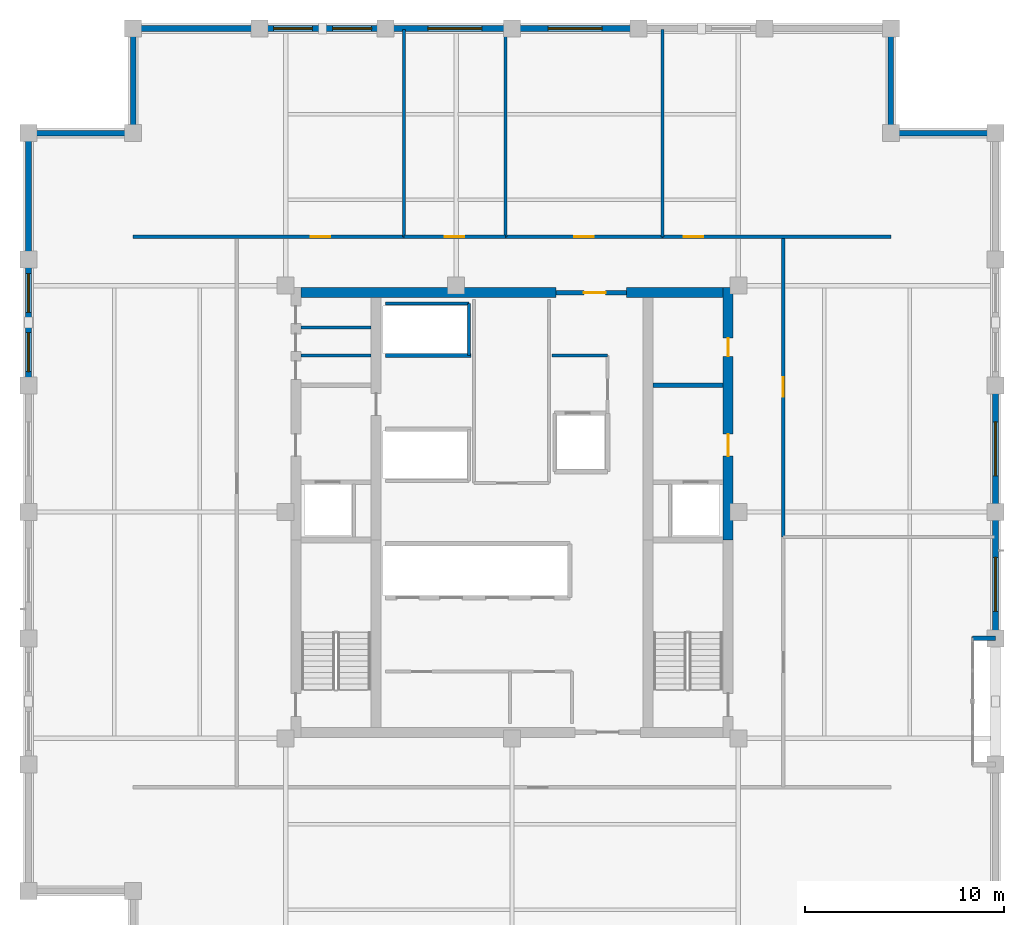
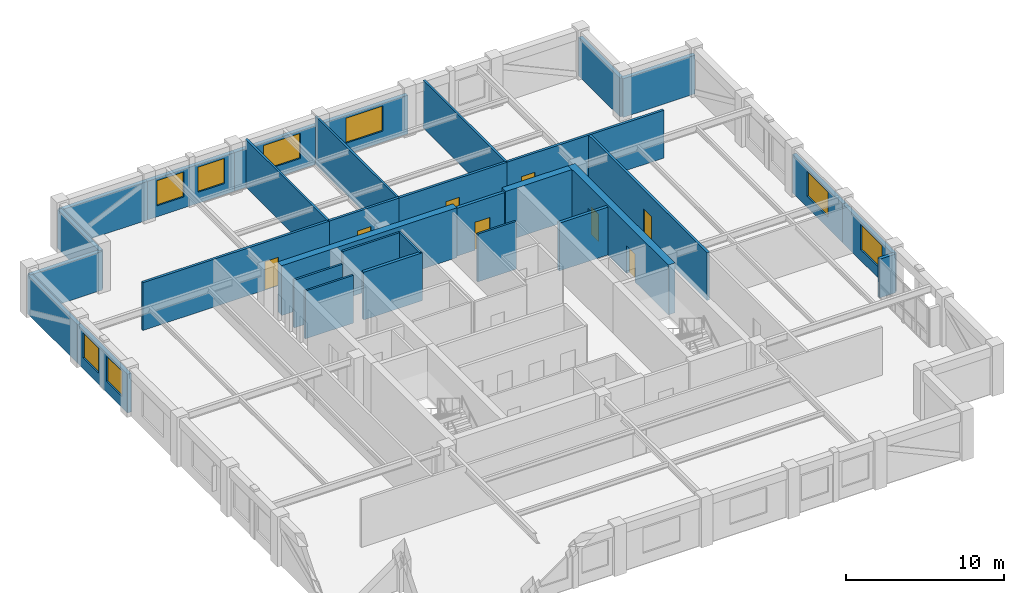
# One storey, part 9 of 11: 32 walls, 8 doors, 8 windows, 16 openings.
"""IFC4 building model written with IfcOpenShell, lengths in metres."""

from ifc_helpers import new_model, si_unit, direction, frame, frame_2d, origin, place, context, subcontext, project, spatial, rectangle, extrude, material, layer, layer_set, type_object, element, fill, save


model = new_model("IFC4")

# Units and contexts
model_context = context("Model", 3, precision=1e-05, world=origin(), true_north=direction((0.0, 1.0)))
body_context = subcontext(model_context, "Body", "Model", "MODEL_VIEW")
ifc_project = project(units=[si_unit("LENGTHUNIT", "METRE"), si_unit("AREAUNIT", "SQUARE_METRE"), si_unit("VOLUMEUNIT", "CUBIC_METRE"), si_unit("PLANEANGLEUNIT", "RADIAN"), si_unit("MASSUNIT", "GRAM", prefix="KILO")], contexts=[model_context])

# Site, building, storey
site_placement = place(None, origin())
site = spatial("IfcSite", under=ifc_project, at=site_placement, CompositionType="ELEMENT")
building_placement = place(site_placement, origin())
building = spatial("IfcBuilding", under=site, at=building_placement, Name="Nhamokura Convention Tower", CompositionType="ELEMENT")
storey_placement = place(building_placement, frame((0.0, 0.0, 244.64990234375)))
storey = spatial("IfcBuildingStorey", under=building, at=storey_placement, Name="L60", CompositionType="ELEMENT", Elevation=244.64990234375)

# Walls
ifc_material_1 = material(Name="Moisture-resistant tile-backer partition", Category="masonry")
ifc_layer_1 = layer(ifc_material_1, 0.139892578125)
ifc_layer_set_1 = layer_set([ifc_layer_1], Name="BathroomWetWall_140")
wall_type_1 = type_object("IfcWallType", Name="BathroomWetWall_140", PredefinedType="STANDARD", material=ifc_layer_set_1)
wall_1_placement = place(storey_placement, frame((21.409912109375, 39.85009765625, 0.0), z_axis=(0.0, 0.0, 1.0), x_axis=(1.0, 0.0, 0.0)))
element("IfcWall", 1, at=wall_1_placement, inside=storey, type_object=wall_type_1, Name="L60 Wall INT-L60-CWNW1", PredefinedType="STANDARD", context=body_context, shape_type="SweptSolid", body=[
    extrude(rectangle(XDim=3.530029296875, YDim=0.139892578125, at=frame_2d((1.76513671875, 0.0))), origin(), (0.0, 0.0, 1.0), 3.68505859375),
])
ifc_material_2 = material(Name="Bronze-pigmented precast concrete C45/55", Category="concrete")
ifc_layer_2 = layer(ifc_material_2, 0.280029296875)
ifc_layer_set_2 = layer_set([ifc_layer_2], Name="BronzePrecastSpandrel_280")
wall_type_2 = type_object("IfcWallType", Name="BronzePrecastSpandrel_280", PredefinedType="USERDEFINED", material=ifc_layer_set_2)
wall_2_placement = place(storey_placement, frame((13.0, 56.25, 0.0), z_axis=(0.0, 0.0, 1.0), x_axis=(1.0, 0.0, 0.0)))
element("IfcWall", 2, at=wall_2_placement, inside=storey, type_object=wall_type_2, Name="L60 Braced-Bay Precast Wall NORTH 0", ObjectType="SPANDREL_WALL", PredefinedType="USERDEFINED", context=body_context, shape_type="SweptSolid", body=[
    extrude(rectangle(XDim=6.333251953125, YDim=0.280029296875, at=frame_2d((3.16650390625, 0.0))), origin(), (0.0, 0.0, 1.0), 2.985107421875),
])

# Wall, openings, windows
wall_3_placement = place(storey_placement, frame((19.333251953125, 56.25, 0.0), z_axis=(0.0, 0.0, 1.0), x_axis=(1.0, 0.0, 0.0)))
wall_3 = element("IfcWall", 3, at=wall_3_placement, inside=storey, type_object=wall_type_2, Name="L60 Masonry-Frame Wall NORTH 1", ObjectType="SPANDREL_WALL", PredefinedType="USERDEFINED", context=body_context, shape_type="SweptSolid", body=[
    extrude(rectangle(XDim=6.33349609375, YDim=0.280029296875, at=frame_2d((3.166748046875, 0.0))), origin(), (0.0, 0.0, 1.0), 2.985107421875),
])
opening_1_placement = place(wall_3_placement, frame((0.708251953125, 0.0, 0.85009765625)))
opening_1 = element("IfcOpeningElement", 4, at=opening_1_placement, cuts=wall_3, Name="Opening W-08", PredefinedType="OPENING", context=body_context, shape_type="SweptSolid", body=[
    extrude(rectangle(XDim=1.949951171875, YDim=1.93505859375, at=frame_2d((0.97509765625, 0.967529296875))), frame((0.0, 0.14990234375, 0.0), z_axis=(0.0, -1.0, 0.0), x_axis=(1.0, 0.0, 0.0)), (0.0, 0.0, 1.0), 0.300048828125),
])
opening_2_placement = place(wall_3_placement, frame((3.675048828125, 0.0, 0.85009765625)))
opening_2 = element("IfcOpeningElement", 5, at=opening_2_placement, cuts=wall_3, Name="Opening W-08", PredefinedType="OPENING", context=body_context, shape_type="SweptSolid", body=[
    extrude(rectangle(XDim=1.949951171875, YDim=1.93505859375, at=frame_2d((0.97509765625, 0.967529296875))), frame((0.0, 0.14990234375, 0.0), z_axis=(0.0, -1.0, 0.0), x_axis=(1.0, 0.0, 0.0)), (0.0, 0.0, 1.0), 0.300048828125),
])
ifc_material_3 = material(Name="Solar-control bronze low-E double glass", Category="glass")
window_type_1 = type_object("IfcWindowType", Name="OfficeModuleWindow_Z3_1950", PartitioningType="SINGLE_PANEL", PredefinedType="WINDOW", material=ifc_material_3)
window_1_placement = place(opening_1_placement, origin())
window_1 = element("IfcWindow", 6, at=window_1_placement, inside=storey, type_object=window_type_1, Name="L60 Facade Window NORTH 1-1", OverallHeight=1.93505859375, OverallWidth=1.949951171875, PartitioningType="SINGLE_PANEL", PredefinedType="WINDOW", context=body_context, shape_type="SweptSolid", body=[
    extrude(rectangle(XDim=1.949951171875, YDim=1.93505859375, at=frame_2d((0.97509765625, 0.967529296875))), frame((0.0, 0.030029296875, 0.0), z_axis=(0.0, -1.0, 0.0), x_axis=(1.0, 0.0, 0.0)), (0.0, 0.0, 1.0), 0.06005859375),
])
fill(opening_1, window_1)
window_2_placement = place(opening_2_placement, origin())
window_2 = element("IfcWindow", 7, at=window_2_placement, inside=storey, type_object=window_type_1, Name="L60 Facade Window NORTH 1-2", OverallHeight=1.93505859375, OverallWidth=1.949951171875, PartitioningType="SINGLE_PANEL", PredefinedType="WINDOW", context=body_context, shape_type="SweptSolid", body=[
    extrude(rectangle(XDim=1.949951171875, YDim=1.93505859375, at=frame_2d((0.97509765625, 0.967529296875))), frame((0.0, 0.030029296875, 0.0), z_axis=(0.0, -1.0, 0.0), x_axis=(1.0, 0.0, 0.0)), (0.0, 0.0, 1.0), 0.06005859375),
])
fill(opening_2, window_2)

# Wall, opening, window
wall_4_placement = place(storey_placement, frame((25.666748046875, 56.25, 0.0), z_axis=(0.0, 0.0, 1.0), x_axis=(1.0, 0.0, 0.0)))
wall_4 = element("IfcWall", 8, at=wall_4_placement, inside=storey, type_object=wall_type_2, Name="L60 Masonry-Frame Wall NORTH 2", ObjectType="SPANDREL_WALL", PredefinedType="USERDEFINED", context=body_context, shape_type="SweptSolid", body=[
    extrude(rectangle(XDim=6.333251953125, YDim=0.280029296875, at=frame_2d((3.16650390625, 0.0))), origin(), (0.0, 0.0, 1.0), 2.985107421875),
])
opening_3_placement = place(wall_4_placement, frame((2.11669921875, 0.0, 0.85009765625)))
opening_3 = element("IfcOpeningElement", 9, at=opening_3_placement, cuts=wall_4, Name="Opening W-07", PredefinedType="OPENING", context=body_context, shape_type="SweptSolid", body=[
    extrude(rectangle(XDim=2.699951171875, YDim=1.93505859375, at=frame_2d((1.35009765625, 0.967529296875))), frame((0.0, 0.14990234375, 0.0), z_axis=(0.0, -1.0, 0.0), x_axis=(1.0, 0.0, 0.0)), (0.0, 0.0, 1.0), 0.300048828125),
])
ifc_material_4 = material(Name="Solar-control bronze low-E double glass", Category="glass")
window_type_2 = type_object("IfcWindowType", Name="OfficeModuleWindow_Z3_2700", PartitioningType="DOUBLE_PANEL_VERTICAL", PredefinedType="WINDOW", material=ifc_material_4)
window_3_placement = place(opening_3_placement, origin())
window_3 = element("IfcWindow", 10, at=window_3_placement, inside=storey, type_object=window_type_2, Name="L60 Facade Window NORTH 2", OverallHeight=1.93505859375, OverallWidth=2.699951171875, PartitioningType="SINGLE_PANEL", PredefinedType="WINDOW", context=body_context, shape_type="SweptSolid", body=[
    extrude(rectangle(XDim=2.699951171875, YDim=1.93505859375, at=frame_2d((1.35009765625, 0.967529296875))), frame((0.0, 0.030029296875, 0.0), z_axis=(0.0, -1.0, 0.0), x_axis=(1.0, 0.0, 0.0)), (0.0, 0.0, 1.0), 0.06005859375),
])
fill(opening_3, window_3)

wall_5_placement = place(storey_placement, frame((32.0, 56.25, 0.0), z_axis=(0.0, 0.0, 1.0), x_axis=(1.0, 0.0, 0.0)))
wall_5 = element("IfcWall", 11, at=wall_5_placement, inside=storey, type_object=wall_type_2, Name="L60 Masonry-Frame Wall NORTH 3", ObjectType="SPANDREL_WALL", PredefinedType="USERDEFINED", context=body_context, shape_type="SweptSolid", body=[
    extrude(rectangle(XDim=6.333251953125, YDim=0.280029296875, at=frame_2d((3.16650390625, 0.0))), origin(), (0.0, 0.0, 1.0), 2.985107421875),
])
opening_4_placement = place(wall_5_placement, frame((1.816650390625, 0.0, 0.85009765625)))
opening_4 = element("IfcOpeningElement", 12, at=opening_4_placement, cuts=wall_5, Name="Opening W-07", PredefinedType="OPENING", context=body_context, shape_type="SweptSolid", body=[
    extrude(rectangle(XDim=2.699951171875, YDim=1.93505859375, at=frame_2d((1.35009765625, 0.967529296875))), frame((0.0, 0.14990234375, 0.0), z_axis=(0.0, -1.0, 0.0), x_axis=(1.0, 0.0, 0.0)), (0.0, 0.0, 1.0), 0.300048828125),
])
window_4_placement = place(opening_4_placement, origin())
window_4 = element("IfcWindow", 13, at=window_4_placement, inside=storey, type_object=window_type_2, Name="L60 Facade Window NORTH 3", OverallHeight=1.93505859375, OverallWidth=2.699951171875, PartitioningType="SINGLE_PANEL", PredefinedType="WINDOW", context=body_context, shape_type="SweptSolid", body=[
    extrude(rectangle(XDim=2.699951171875, YDim=1.93505859375, at=frame_2d((1.35009765625, 0.967529296875))), frame((0.0, 0.030029296875, 0.0), z_axis=(0.0, -1.0, 0.0), x_axis=(1.0, 0.0, 0.0)), (0.0, 0.0, 1.0), 0.06005859375),
])
fill(opening_4, window_4)

# Wall, openings, windows
wall_6_placement = place(storey_placement, frame((7.75, 38.333251953125, 0.0), z_axis=(0.0, 0.0, 1.0), x_axis=(0.0, 1.0, 0.0)))
wall_6 = element("IfcWall", 14, at=wall_6_placement, inside=storey, type_object=wall_type_2, Name="L60 Masonry-Frame Wall WEST 4", ObjectType="SPANDREL_WALL", PredefinedType="USERDEFINED", context=body_context, shape_type="SweptSolid", body=[
    extrude(rectangle(XDim=6.33349609375, YDim=0.280029296875, at=frame_2d((3.166748046875, 0.0))), origin(), (0.0, 0.0, 1.0), 2.985107421875),
])
opening_5_placement = place(wall_6_placement, frame((0.708251953125, 0.0, 0.85009765625)))
opening_5 = element("IfcOpeningElement", 15, at=opening_5_placement, cuts=wall_6, Name="Opening W-08", PredefinedType="OPENING", context=body_context, shape_type="SweptSolid", body=[
    extrude(rectangle(XDim=1.949951171875, YDim=1.93505859375, at=frame_2d((0.97509765625, 0.967529296875))), frame((0.0, 0.14990234375, 0.0), z_axis=(0.0, -1.0, 0.0), x_axis=(1.0, 0.0, 0.0)), (0.0, 0.0, 1.0), 0.300048828125),
])
opening_6_placement = place(wall_6_placement, frame((3.675048828125, 0.0, 0.85009765625)))
opening_6 = element("IfcOpeningElement", 16, at=opening_6_placement, cuts=wall_6, Name="Opening W-08", PredefinedType="OPENING", context=body_context, shape_type="SweptSolid", body=[
    extrude(rectangle(XDim=1.949951171875, YDim=1.93505859375, at=frame_2d((0.97509765625, 0.967529296875))), frame((0.0, 0.14990234375, 0.0), z_axis=(0.0, -1.0, 0.0), x_axis=(1.0, 0.0, 0.0)), (0.0, 0.0, 1.0), 0.300048828125),
])
window_5_placement = place(opening_5_placement, origin())
window_5 = element("IfcWindow", 17, at=window_5_placement, inside=storey, type_object=window_type_1, Name="L60 Facade Window WEST 4-1", OverallHeight=1.93505859375, OverallWidth=1.949951171875, PartitioningType="SINGLE_PANEL", PredefinedType="WINDOW", context=body_context, shape_type="SweptSolid", body=[
    extrude(rectangle(XDim=1.949951171875, YDim=1.93505859375, at=frame_2d((0.97509765625, 0.967529296875))), frame((0.0, 0.030029296875, 0.0), z_axis=(0.0, -1.0, 0.0), x_axis=(1.0, 0.0, 0.0)), (0.0, 0.0, 1.0), 0.06005859375),
])
fill(opening_5, window_5)
window_6_placement = place(opening_6_placement, origin())
window_6 = element("IfcWindow", 18, at=window_6_placement, inside=storey, type_object=window_type_1, Name="L60 Facade Window WEST 4-2", OverallHeight=1.93505859375, OverallWidth=1.949951171875, PartitioningType="SINGLE_PANEL", PredefinedType="WINDOW", context=body_context, shape_type="SweptSolid", body=[
    extrude(rectangle(XDim=1.949951171875, YDim=1.93505859375, at=frame_2d((0.97509765625, 0.967529296875))), frame((0.0, 0.030029296875, 0.0), z_axis=(0.0, -1.0, 0.0), x_axis=(1.0, 0.0, 0.0)), (0.0, 0.0, 1.0), 0.06005859375),
])
fill(opening_6, window_6)

# Walls
wall_7_placement = place(storey_placement, frame((7.75, 44.666748046875, 0.0), z_axis=(0.0, 0.0, 1.0), x_axis=(0.0, 1.0, 0.0)))
element("IfcWall", 19, at=wall_7_placement, inside=storey, type_object=wall_type_2, Name="L60 Braced-Bay Precast Wall WEST 5", ObjectType="SPANDREL_WALL", PredefinedType="USERDEFINED", context=body_context, shape_type="SweptSolid", body=[
    extrude(rectangle(XDim=6.333251953125, YDim=0.280029296875, at=frame_2d((3.16650390625, 0.0))), origin(), (0.0, 0.0, 1.0), 2.985107421875),
])
wall_8_placement = place(storey_placement, frame((56.25, 25.666748046875, 0.0), z_axis=(0.0, 0.0, 1.0), x_axis=(-1.0, 0.0, 0.0)))
element("IfcWall", 20, at=wall_8_placement, inside=storey, type_object=wall_type_2, Name="L60 Scale Slot Cheek Wall EASTB", ObjectType="SPANDREL_WALL", PredefinedType="USERDEFINED", context=body_context, shape_type="SweptSolid", body=[
    extrude(rectangle(XDim=1.14990234375, YDim=0.239990234375, at=frame_2d((0.574951171875, 0.0))), origin(), (0.0, 0.0, 1.0), 2.985107421875),
])

# Wall, opening, window
wall_9_placement = place(storey_placement, frame((56.25, 32.0, 0.0), z_axis=(0.0, 0.0, 1.0), x_axis=(0.0, -1.0, 0.0)))
wall_9 = element("IfcWall", 21, at=wall_9_placement, inside=storey, type_object=wall_type_2, Name="L60 Masonry-Frame Wall EAST 2", ObjectType="SPANDREL_WALL", PredefinedType="USERDEFINED", context=body_context, shape_type="SweptSolid", body=[
    extrude(rectangle(XDim=6.333251953125, YDim=0.280029296875, at=frame_2d((3.16650390625, 0.0))), origin(), (0.0, 0.0, 1.0), 2.985107421875),
])
opening_7_placement = place(wall_9_placement, frame((2.279296875, 0.0, 0.85009765625)))
opening_7 = element("IfcOpeningElement", 22, at=opening_7_placement, cuts=wall_9, Name="Opening W-07", PredefinedType="OPENING", context=body_context, shape_type="SweptSolid", body=[
    extrude(rectangle(XDim=2.699951171875, YDim=1.93505859375, at=frame_2d((1.35009765625, 0.967529296875))), frame((0.0, 0.14990234375, 0.0), z_axis=(0.0, -1.0, 0.0), x_axis=(1.0, 0.0, 0.0)), (0.0, 0.0, 1.0), 0.300048828125),
])
window_7_placement = place(opening_7_placement, origin())
window_7 = element("IfcWindow", 23, at=window_7_placement, inside=storey, type_object=window_type_2, Name="L60 Facade Window EAST 2-2", OverallHeight=1.93505859375, OverallWidth=2.699951171875, PartitioningType="SINGLE_PANEL", PredefinedType="WINDOW", context=body_context, shape_type="SweptSolid", body=[
    extrude(rectangle(XDim=2.699951171875, YDim=1.93505859375, at=frame_2d((1.35009765625, 0.967529296875))), frame((0.0, 0.030029296875, 0.0), z_axis=(0.0, -1.0, 0.0), x_axis=(1.0, 0.0, 0.0)), (0.0, 0.0, 1.0), 0.06005859375),
])
fill(opening_7, window_7)

wall_10_placement = place(storey_placement, frame((56.25, 38.333251953125, 0.0), z_axis=(0.0, 0.0, 1.0), x_axis=(0.0, -1.0, 0.0)))
wall_10 = element("IfcWall", 24, at=wall_10_placement, inside=storey, type_object=wall_type_2, Name="L60 Masonry-Frame Wall EAST 3", ObjectType="SPANDREL_WALL", PredefinedType="USERDEFINED", context=body_context, shape_type="SweptSolid", body=[
    extrude(rectangle(XDim=6.333251953125, YDim=0.280029296875, at=frame_2d((3.16650390625, 0.0))), origin(), (0.0, 0.0, 1.0), 2.985107421875),
])
opening_8_placement = place(wall_10_placement, frame((1.816650390625, 0.0, 0.85009765625)))
opening_8 = element("IfcOpeningElement", 25, at=opening_8_placement, cuts=wall_10, Name="Opening W-07", PredefinedType="OPENING", context=body_context, shape_type="SweptSolid", body=[
    extrude(rectangle(XDim=2.699951171875, YDim=1.93505859375, at=frame_2d((1.35009765625, 0.967529296875))), frame((0.0, 0.14990234375, 0.0), z_axis=(0.0, -1.0, 0.0), x_axis=(1.0, 0.0, 0.0)), (0.0, 0.0, 1.0), 0.300048828125),
])
window_8_placement = place(opening_8_placement, origin())
window_8 = element("IfcWindow", 26, at=window_8_placement, inside=storey, type_object=window_type_2, Name="L60 Facade Window EAST 3", OverallHeight=1.93505859375, OverallWidth=2.699951171875, PartitioningType="SINGLE_PANEL", PredefinedType="WINDOW", context=body_context, shape_type="SweptSolid", body=[
    extrude(rectangle(XDim=2.699951171875, YDim=1.93505859375, at=frame_2d((1.35009765625, 0.967529296875))), frame((0.0, 0.030029296875, 0.0), z_axis=(0.0, -1.0, 0.0), x_axis=(1.0, 0.0, 0.0)), (0.0, 0.0, 1.0), 0.06005859375),
])
fill(opening_8, window_8)

# Walls
for number, where, z_axis, x_axis, name in (
    (27, (51.0, 51.0, 0.0), (0.0, 0.0, 1.0), (1.0, 0.0, 0.0), "L60 Notched Corner Wall NE1"),
    (28, (51.0, 56.25, 0.0), (0.0, 0.0, 1.0), (0.0, -1.0, 0.0), "L60 Notched Corner Wall NE2"),
    (29, (13.0, 51.0, 0.0), (0.0, 0.0, 1.0), (0.0, 1.0, 0.0), "L60 Notched Corner Wall NW1"),
    (30, (7.75, 51.0, 0.0), (0.0, 0.0, 1.0), (1.0, 0.0, 0.0), "L60 Notched Corner Wall NW2"),
):
    element("IfcWall", number, at=place(storey_placement, frame(where, z_axis=z_axis, x_axis=x_axis)), inside=storey, type_object=wall_type_2, Name=name, ObjectType="SPANDREL_WALL", PredefinedType="USERDEFINED", context=body_context, shape_type="SweptSolid", body=[
        extrude(rectangle(XDim=5.25, YDim=0.280029296875, at=frame_2d((2.625, 0.0))), origin(), (0.0, 0.0, 1.0), 2.985107421875),
    ])

# Wall, openings, doors
ifc_material_5 = material(Name="Concrete C60/75", Category="concrete")
ifc_layer_3 = layer(ifc_material_5, 0.5)
ifc_layer_set_3 = layer_set([ifc_layer_3], Name="CoreShearWall_500")
wall_type_3 = type_object("IfcWallType", Name="CoreShearWall_500", PredefinedType="SHEAR", material=ifc_layer_set_3)
wall_11_placement = place(storey_placement, frame((42.840087890625, 30.60009765625, 0.0), z_axis=(0.0, 0.0, 1.0), x_axis=(0.0, 1.0, 0.0)))
wall_11 = element("IfcWall", 31, at=wall_11_placement, inside=storey, type_object=wall_type_3, Name="L60 Core Shear Wall CW-EN", PredefinedType="SHEAR", context=body_context, shape_type="SweptSolid", body=[
    extrude(rectangle(XDim=12.64990234375, YDim=0.5, at=frame_2d((6.324951171875, 0.0))), origin(), (0.0, 0.0, 1.0), 3.85009765625),
])
opening_9_placement = place(wall_11_placement, frame((4.199951171875, 0.0, 0.0)))
opening_9 = element("IfcOpeningElement", 32, at=opening_9_placement, cuts=wall_11, Name="Opening D-05", PredefinedType="OPENING", context=body_context, shape_type="SweptSolid", body=[
    extrude(rectangle(XDim=1.10009765625, YDim=2.14990234375, at=frame_2d((0.550048828125, 1.074951171875))), frame((0.0, 0.260009765625, 0.0), z_axis=(0.0, -1.0, 0.0), x_axis=(1.0, 0.0, 0.0)), (0.0, 0.0, 1.0), 0.52001953125),
])
opening_10_placement = place(wall_11_placement, frame((9.199951171875, 0.0, 0.0)))
opening_10 = element("IfcOpeningElement", 33, at=opening_10_placement, cuts=wall_11, Name="Opening D-10", PredefinedType="OPENING", context=body_context, shape_type="SweptSolid", body=[
    extrude(rectangle(XDim=0.919921875, YDim=2.10009765625, at=frame_2d((0.4599609375, 1.050048828125))), frame((0.0, 0.260009765625, 0.0), z_axis=(0.0, -1.0, 0.0), x_axis=(1.0, 0.0, 0.0)), (0.0, 0.0, 1.0), 0.52001953125),
])
ifc_material_6 = material(Name="Solid oak hardwood", Category="wood")
door_type_1 = type_object("IfcDoorType", Name="AccessibleWCDoor_920", OperationType="NOTDEFINED", PredefinedType="DOOR", material=ifc_material_6)
door_1_placement = place(opening_10_placement, origin())
door_1 = element("IfcDoor", 34, at=door_1_placement, inside=storey, type_object=door_type_1, Name="L60 Core Door INT-L60-D-UWC", OperationType="SINGLE_SWING_RIGHT", OverallHeight=2.10009765625, OverallWidth=0.919921875, PredefinedType="DOOR", context=body_context, shape_type="SweptSolid", body=[
    extrude(rectangle(XDim=0.919921875, YDim=2.10009765625, at=frame_2d((0.4599609375, 1.050048828125))), frame((0.0, 0.02490234375, 0.0), z_axis=(0.0, -1.0, 0.0), x_axis=(1.0, 0.0, 0.0)), (0.0, 0.0, 1.0), 0.050048828125),
])
fill(opening_10, door_1)
ifc_material_7 = material(Name="Fire-rated steel door", Category="steel")
door_type_2 = type_object("IfcDoorType", Name="FireLobbyDoor_1100", OperationType="NOTDEFINED", PredefinedType="DOOR", material=ifc_material_7)
door_2_placement = place(opening_9_placement, origin())
door_2 = element("IfcDoor", 35, at=door_2_placement, inside=storey, type_object=door_type_2, Name="L60 Core Door INT-L60-D-FFLE", OperationType="SINGLE_SWING_LEFT", OverallHeight=2.14990234375, OverallWidth=1.10009765625, PredefinedType="DOOR", context=body_context, shape_type="SweptSolid", body=[
    extrude(rectangle(XDim=1.10009765625, YDim=2.14990234375, at=frame_2d((0.550048828125, 1.074951171875))), frame((0.0, 0.02490234375, 0.0), z_axis=(0.0, -1.0, 0.0), x_axis=(1.0, 0.0, 0.0)), (0.0, 0.0, 1.0), 0.050048828125),
])
fill(opening_9, door_2)

# Walls
wall_12_placement = place(storey_placement, frame((21.409912109375, 43.0, 0.0), z_axis=(0.0, 0.0, 1.0), x_axis=(1.0, 0.0, 0.0)))
element("IfcWall", 36, at=wall_12_placement, inside=storey, type_object=wall_type_3, Name="L60 Core Shear Wall CW-N1", PredefinedType="SHEAR", context=body_context, shape_type="SweptSolid", body=[
    extrude(rectangle(XDim=12.7900390625, YDim=0.5, at=frame_2d((6.39501953125, 0.0))), origin(), (0.0, 0.0, 1.0), 3.85009765625),
])
wall_13_placement = place(storey_placement, frame((37.75, 43.0, 0.0), z_axis=(0.0, 0.0, 1.0), x_axis=(1.0, 0.0, 0.0)))
element("IfcWall", 37, at=wall_13_placement, inside=storey, type_object=wall_type_3, Name="L60 Core Shear Wall CW-N2", PredefinedType="SHEAR", context=body_context, shape_type="SweptSolid", body=[
    extrude(rectangle(XDim=4.840087890625, YDim=0.5, at=frame_2d((2.419921875, 0.0))), origin(), (0.0, 0.0, 1.0), 3.85009765625),
])

# Wall, opening, door
ifc_material_8 = material(Name="Fire-rated gypsum and masonry partition", Category="masonry")
ifc_layer_4 = layer(ifc_material_8, 0.179931640625)
ifc_layer_set_4 = layer_set([ifc_layer_4], Name="CorridorRatedWall_180")
wall_type_4 = type_object("IfcWallType", Name="CorridorRatedWall_180", PredefinedType="STANDARD", material=ifc_layer_set_4)
wall_14_placement = place(storey_placement, frame((13.0, 45.800048828125, 0.0), z_axis=(0.0, 0.0, 1.0), x_axis=(1.0, 0.0, 0.0)))
wall_14 = element("IfcWall", 38, at=wall_14_placement, inside=storey, type_object=wall_type_4, Name="L60 Wall INT-L60-CW-N00", PredefinedType="STANDARD", context=body_context, shape_type="SweptSolid", body=[
    extrude(rectangle(XDim=13.591796875, YDim=0.179931640625, at=frame_2d((6.7958984375, 0.0))), origin(), (0.0, 0.0, 1.0), 3.68505859375),
])
opening_11_placement = place(wall_14_placement, frame((8.895751953125, 0.0, 0.0)))
opening_11 = element("IfcOpeningElement", 39, at=opening_11_placement, cuts=wall_14, Name="Opening D-08", PredefinedType="OPENING", context=body_context, shape_type="SweptSolid", body=[
    extrude(rectangle(XDim=0.97998046875, YDim=2.199951171875, at=frame_2d((0.489990234375, 1.10009765625))), frame((0.0, 0.099853515625, 0.0), z_axis=(0.0, -1.0, 0.0), x_axis=(1.0, 0.0, 0.0)), (0.0, 0.0, 1.0), 0.199951171875),
])
ifc_material_9 = material(Name="Solid oak hardwood", Category="wood")
door_type_3 = type_object("IfcDoorType", Name="OfficeEntryDoor_980", OperationType="NOTDEFINED", PredefinedType="DOOR", material=ifc_material_9)
door_3_placement = place(opening_11_placement, origin())
door_3 = element("IfcDoor", 40, at=door_3_placement, inside=storey, type_object=door_type_3, Name="L60 Staff Restaurant N01 Door", OperationType="SINGLE_SWING_LEFT", OverallHeight=2.199951171875, OverallWidth=0.97998046875, PredefinedType="DOOR", context=body_context, shape_type="SweptSolid", body=[
    extrude(rectangle(XDim=0.97998046875, YDim=2.199951171875, at=frame_2d((0.489990234375, 1.10009765625))), frame((0.0, 0.02490234375, 0.0), z_axis=(0.0, -1.0, 0.0), x_axis=(1.0, 0.0, 0.0)), (0.0, 0.0, 1.0), 0.050048828125),
])
fill(opening_11, door_3)

wall_15_placement = place(storey_placement, frame((26.591796875, 45.800048828125, 0.0), z_axis=(0.0, 0.0, 1.0), x_axis=(1.0, 0.0, 0.0)))
wall_15 = element("IfcWall", 41, at=wall_15_placement, inside=storey, type_object=wall_type_4, Name="L60 Wall INT-L60-CW-N01", PredefinedType="STANDARD", context=body_context, shape_type="SweptSolid", body=[
    extrude(rectangle(XDim=5.083251953125, YDim=0.179931640625, at=frame_2d((2.54150390625, 0.0))), origin(), (0.0, 0.0, 1.0), 3.68505859375),
])
opening_12_placement = place(wall_15_placement, frame((2.041748046875, 0.0, 0.0)))
opening_12 = element("IfcOpeningElement", 42, at=opening_12_placement, cuts=wall_15, Name="Opening D-08", PredefinedType="OPENING", context=body_context, shape_type="SweptSolid", body=[
    extrude(rectangle(XDim=0.97998046875, YDim=2.199951171875, at=frame_2d((0.489990234375, 1.10009765625))), frame((0.0, 0.099853515625, 0.0), z_axis=(0.0, -1.0, 0.0), x_axis=(1.0, 0.0, 0.0)), (0.0, 0.0, 1.0), 0.199951171875),
])
door_4_placement = place(opening_12_placement, origin())
door_4 = element("IfcDoor", 43, at=door_4_placement, inside=storey, type_object=door_type_3, Name="L60 Cafeteria Kitchen N02 Door", OperationType="SINGLE_SWING_RIGHT", OverallHeight=2.199951171875, OverallWidth=0.97998046875, PredefinedType="DOOR", context=body_context, shape_type="SweptSolid", body=[
    extrude(rectangle(XDim=0.97998046875, YDim=2.199951171875, at=frame_2d((0.489990234375, 1.10009765625))), frame((0.0, 0.02490234375, 0.0), z_axis=(0.0, -1.0, 0.0), x_axis=(1.0, 0.0, 0.0)), (0.0, 0.0, 1.0), 0.050048828125),
])
fill(opening_12, door_4)

wall_16_placement = place(storey_placement, frame((31.675048828125, 45.800048828125, 0.0), z_axis=(0.0, 0.0, 1.0), x_axis=(1.0, 0.0, 0.0)))
wall_16 = element("IfcWall", 44, at=wall_16_placement, inside=storey, type_object=wall_type_4, Name="L60 Wall INT-L60-CW-N02", PredefinedType="STANDARD", context=body_context, shape_type="SweptSolid", body=[
    extrude(rectangle(XDim=7.88330078125, YDim=0.179931640625, at=frame_2d((3.941650390625, 0.0))), origin(), (0.0, 0.0, 1.0), 3.68505859375),
])
opening_13_placement = place(wall_16_placement, frame((3.441650390625, 0.0, 0.0)))
opening_13 = element("IfcOpeningElement", 45, at=opening_13_placement, cuts=wall_16, Name="Opening D-08", PredefinedType="OPENING", context=body_context, shape_type="SweptSolid", body=[
    extrude(rectangle(XDim=0.97998046875, YDim=2.199951171875, at=frame_2d((0.489990234375, 1.10009765625))), frame((0.0, 0.099853515625, 0.0), z_axis=(0.0, -1.0, 0.0), x_axis=(1.0, 0.0, 0.0)), (0.0, 0.0, 1.0), 0.199951171875),
])
door_5_placement = place(opening_13_placement, origin())
door_5 = element("IfcDoor", 46, at=door_5_placement, inside=storey, type_object=door_type_3, Name="L60 Staff Restaurant N03 Door", OperationType="SINGLE_SWING_LEFT", OverallHeight=2.199951171875, OverallWidth=0.97998046875, PredefinedType="DOOR", context=body_context, shape_type="SweptSolid", body=[
    extrude(rectangle(XDim=0.97998046875, YDim=2.199951171875, at=frame_2d((0.489990234375, 1.10009765625))), frame((0.0, 0.02490234375, 0.0), z_axis=(0.0, -1.0, 0.0), x_axis=(1.0, 0.0, 0.0)), (0.0, 0.0, 1.0), 0.050048828125),
])
fill(opening_13, door_5)

wall_17_placement = place(storey_placement, frame((39.558349609375, 45.800048828125, 0.0), z_axis=(0.0, 0.0, 1.0), x_axis=(1.0, 0.0, 0.0)))
wall_17 = element("IfcWall", 47, at=wall_17_placement, inside=storey, type_object=wall_type_4, Name="L60 Wall INT-L60-CW-N03", PredefinedType="STANDARD", context=body_context, shape_type="SweptSolid", body=[
    extrude(rectangle(XDim=11.441650390625, YDim=0.179931640625, at=frame_2d((5.720703125, 0.0))), origin(), (0.0, 0.0, 1.0), 3.68505859375),
])
opening_14_placement = place(wall_17_placement, frame((1.0458984375, 0.0, 0.0)))
opening_14 = element("IfcOpeningElement", 48, at=opening_14_placement, cuts=wall_17, Name="Opening D-08", PredefinedType="OPENING", context=body_context, shape_type="SweptSolid", body=[
    extrude(rectangle(XDim=0.97998046875, YDim=2.199951171875, at=frame_2d((0.489990234375, 1.10009765625))), frame((0.0, 0.099853515625, 0.0), z_axis=(0.0, -1.0, 0.0), x_axis=(1.0, 0.0, 0.0)), (0.0, 0.0, 1.0), 0.199951171875),
])
door_6_placement = place(opening_14_placement, origin())
door_6 = element("IfcDoor", 49, at=door_6_placement, inside=storey, type_object=door_type_3, Name="L60 Cafeteria Kitchen N04 Door", OperationType="SINGLE_SWING_RIGHT", OverallHeight=2.199951171875, OverallWidth=0.97998046875, PredefinedType="DOOR", context=body_context, shape_type="SweptSolid", body=[
    extrude(rectangle(XDim=0.97998046875, YDim=2.199951171875, at=frame_2d((0.489990234375, 1.10009765625))), frame((0.0, 0.02490234375, 0.0), z_axis=(0.0, -1.0, 0.0), x_axis=(1.0, 0.0, 0.0)), (0.0, 0.0, 1.0), 0.050048828125),
])
fill(opening_14, door_6)

wall_18_placement = place(storey_placement, frame((45.60009765625, 30.75, 0.0), z_axis=(0.0, 0.0, 1.0), x_axis=(0.0, 1.0, 0.0)))
wall_18 = element("IfcWall", 50, at=wall_18_placement, inside=storey, type_object=wall_type_4, Name="L60 Wall INT-L60-CW-E01", PredefinedType="STANDARD", context=body_context, shape_type="SweptSolid", body=[
    extrude(rectangle(XDim=15.050048828125, YDim=0.179931640625, at=frame_2d((7.52490234375, 0.0))), origin(), (0.0, 0.0, 1.0), 3.68505859375),
])
opening_15_placement = place(wall_18_placement, frame((7.02490234375, 0.0, 0.0)))
opening_15 = element("IfcOpeningElement", 51, at=opening_15_placement, cuts=wall_18, Name="Opening D-08", PredefinedType="OPENING", context=body_context, shape_type="SweptSolid", body=[
    extrude(rectangle(XDim=0.97998046875, YDim=2.199951171875, at=frame_2d((0.489990234375, 1.10009765625))), frame((0.0, 0.099853515625, 0.0), z_axis=(0.0, -1.0, 0.0), x_axis=(1.0, 0.0, 0.0)), (0.0, 0.0, 1.0), 0.199951171875),
])
door_7_placement = place(opening_15_placement, origin())
door_7 = element("IfcDoor", 52, at=door_7_placement, inside=storey, type_object=door_type_3, Name="L60 Collaboration Lounge E02 Door", OperationType="SINGLE_SWING_RIGHT", OverallHeight=2.199951171875, OverallWidth=0.97998046875, PredefinedType="DOOR", context=body_context, shape_type="SweptSolid", body=[
    extrude(rectangle(XDim=0.97998046875, YDim=2.199951171875, at=frame_2d((0.489990234375, 1.10009765625))), frame((0.0, 0.02490234375, 0.0), z_axis=(0.0, -1.0, 0.0), x_axis=(1.0, 0.0, 0.0)), (0.0, 0.0, 1.0), 0.050048828125),
])
fill(opening_15, door_7)

# Walls
ifc_material_10 = material(Name="Autoclaved concrete blockwork", Category="masonry")
ifc_layer_5 = layer(ifc_material_10, 0.219970703125)
ifc_layer_set_5 = layer_set([ifc_layer_5], Name="FireLobbyWall_220")
wall_type_5 = type_object("IfcWallType", Name="FireLobbyWall_220", PredefinedType="STANDARD", material=ifc_layer_set_5)
wall_19_placement = place(storey_placement, frame((39.06005859375, 38.35009765625, 0.0), z_axis=(0.0, 0.0, 1.0), x_axis=(1.0, 0.0, 0.0)))
element("IfcWall", 53, at=wall_19_placement, inside=storey, type_object=wall_type_5, Name="L60 Wall INT-L60-FFE-N", PredefinedType="STANDARD", context=body_context, shape_type="SweptSolid", body=[
    extrude(rectangle(XDim=3.530029296875, YDim=0.219970703125, at=frame_2d((1.76513671875, 0.0))), origin(), (0.0, 0.0, 1.0), 3.68505859375),
])
wall_20_placement = place(storey_placement, frame((25.64990234375, 39.85009765625, 0.0), z_axis=(0.0, 0.0, 1.0), x_axis=(1.0, 0.0, 0.0)))
element("IfcWall", 54, at=wall_20_placement, inside=storey, type_object=wall_type_5, Name="L60 Wall INT-L60-B3N", PredefinedType="STANDARD", context=body_context, shape_type="SweptSolid", body=[
    extrude(rectangle(XDim=4.300048828125, YDim=0.219970703125, at=frame_2d((2.14990234375, 0.0))), origin(), (0.0, 0.0, 1.0), 3.68505859375),
])

# Wall, opening, door
wall_21_placement = place(storey_placement, frame((34.199951171875, 43.0, 0.0), z_axis=(0.0, 0.0, 1.0), x_axis=(1.0, 0.0, 0.0)))
wall_21 = element("IfcWall", 55, at=wall_21_placement, inside=storey, type_object=wall_type_5, Name="L60 Wall INT-L60-CPORT-N", PredefinedType="STANDARD", context=body_context, shape_type="SweptSolid", body=[
    extrude(rectangle(XDim=3.550048828125, YDim=0.219970703125, at=frame_2d((1.77490234375, 0.0))), origin(), (0.0, 0.0, 1.0), 3.68505859375),
])
opening_16_placement = place(wall_21_placement, frame((1.39990234375, 0.0, 0.0)))
opening_16 = element("IfcOpeningElement", 56, at=opening_16_placement, cuts=wall_21, Name="Opening D-05", PredefinedType="OPENING", context=body_context, shape_type="SweptSolid", body=[
    extrude(rectangle(XDim=1.10009765625, YDim=2.14990234375, at=frame_2d((0.550048828125, 1.074951171875))), frame((0.0, 0.119873046875, 0.0), z_axis=(0.0, -1.0, 0.0), x_axis=(1.0, 0.0, 0.0)), (0.0, 0.0, 1.0), 0.239990234375),
])
door_8_placement = place(opening_16_placement, origin())
door_8 = element("IfcDoor", 57, at=door_8_placement, inside=storey, type_object=door_type_2, Name="L60 North Core Lobby Portal Door", OperationType="SINGLE_SWING_RIGHT", OverallHeight=2.14990234375, OverallWidth=1.10009765625, PredefinedType="DOOR", context=body_context, shape_type="SweptSolid", body=[
    extrude(rectangle(XDim=1.10009765625, YDim=2.14990234375, at=frame_2d((0.550048828125, 1.074951171875))), frame((0.0, 0.02490234375, 0.0), z_axis=(0.0, -1.0, 0.0), x_axis=(1.0, 0.0, 0.0)), (0.0, 0.0, 1.0), 0.050048828125),
])
fill(opening_16, door_8)

# Walls
ifc_material_11 = material(Name="Acoustic gypsum stud partition", Category="masonry")
ifc_layer_6 = layer(ifc_material_11, 0.14990234375)
ifc_layer_set_6 = layer_set([ifc_layer_6], Name="InteriorPartition_150")
wall_type_6 = type_object("IfcWallType", Name="InteriorPartition_150", PredefinedType="STANDARD", material=ifc_layer_set_6)
wall_22_placement = place(storey_placement, frame((21.409912109375, 41.25, 0.0), z_axis=(0.0, 0.0, 1.0), x_axis=(1.0, 0.0, 0.0)))
element("IfcWall", 58, at=wall_22_placement, inside=storey, type_object=wall_type_6, Name="L60 Wall INT-L60-CWNW2", PredefinedType="STANDARD", context=body_context, shape_type="SweptSolid", body=[
    extrude(rectangle(XDim=3.530029296875, YDim=0.14990234375, at=frame_2d((1.76513671875, 0.0))), origin(), (0.0, 0.0, 1.0), 3.68505859375),
])
wall_23_placement = place(storey_placement, frame((34.0, 39.85009765625, 0.0), z_axis=(0.0, 0.0, 1.0), x_axis=(1.0, 0.0, 0.0)))
element("IfcWall", 59, at=wall_23_placement, inside=storey, type_object=wall_type_6, Name="L60 Wall INT-L60-NE-TELN", PredefinedType="STANDARD", context=body_context, shape_type="SweptSolid", body=[
    extrude(rectangle(XDim=2.800048828125, YDim=0.14990234375, at=frame_2d((1.39990234375, 0.0))), origin(), (0.0, 0.0, 1.0), 3.68505859375),
])
wall_24_placement = place(storey_placement, frame((25.64990234375, 42.449951171875, 0.0), z_axis=(0.0, 0.0, 1.0), x_axis=(1.0, 0.0, 0.0)))
element("IfcWall", 60, at=wall_24_placement, inside=storey, type_object=wall_type_6, Name="L60 Wall INT-L60-B3B-N", PredefinedType="STANDARD", context=body_context, shape_type="SweptSolid", body=[
    extrude(rectangle(XDim=4.2001953125, YDim=0.14990234375, at=frame_2d((2.10009765625, 0.0))), origin(), (0.0, 0.0, 1.0), 3.68505859375),
])
wall_25_placement = place(storey_placement, frame((29.85009765625, 39.85009765625, 0.0), z_axis=(0.0, 0.0, 1.0), x_axis=(0.0, 1.0, 0.0)))
element("IfcWall", 61, at=wall_25_placement, inside=storey, type_object=wall_type_6, Name="L60 Wall INT-L60-B3B-E", PredefinedType="STANDARD", context=body_context, shape_type="SweptSolid", body=[
    extrude(rectangle(XDim=2.599853515625, YDim=0.14990234375, at=frame_2d((1.2998046875, 0.0))), origin(), (0.0, 0.0, 1.0), 3.68505859375),
])
for number, where, z_axis, x_axis, name in (
    (62, (26.591796875, 45.800048828125, 0.0), (0.0, 0.0, 1.0), (0.0, 1.0, 0.0), "L60 Wall INT-L60-RW-N01"),
    (63, (31.675048828125, 45.800048828125, 0.0), (0.0, 0.0, 1.0), (0.0, 1.0, 0.0), "L60 Wall INT-L60-RW-N02"),
    (64, (39.558349609375, 45.800048828125, 0.0), (0.0, 0.0, 1.0), (0.0, 1.0, 0.0), "L60 Wall INT-L60-RW-N03"),
):
    element("IfcWall", number, at=place(storey_placement, frame(where, z_axis=z_axis, x_axis=x_axis)), inside=storey, type_object=wall_type_6, Name=name, PredefinedType="STANDARD", context=body_context, shape_type="SweptSolid", body=[
        extrude(rectangle(XDim=10.389892578125, YDim=0.14990234375, at=frame_2d((5.19482421875, 0.0))), origin(), (0.0, 0.0, 1.0), 3.68505859375),
    ])

save(model, "model.ifc")
